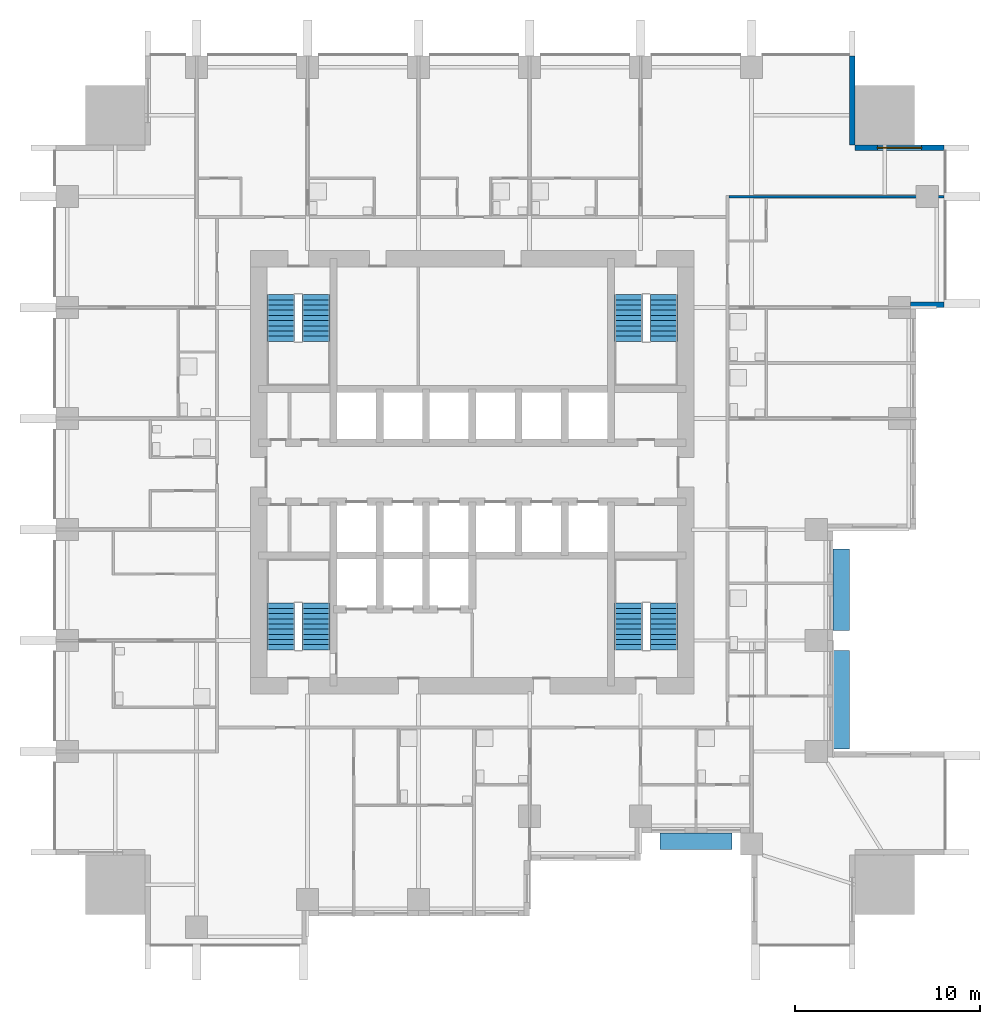
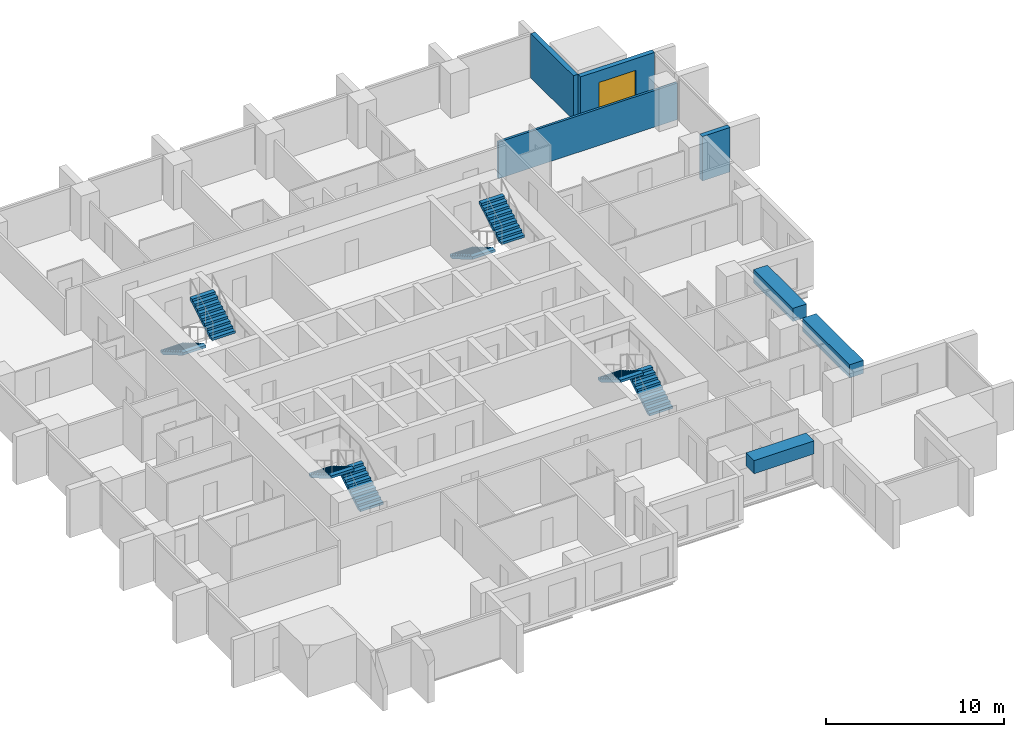
# One storey, part 8 of 10: 8 stair flights, 4 walls, 3 discrete accessories, 1 window, 1 opening, 4 elements without a shape of their own.
"""IFC4 building model written with IfcOpenShell, lengths in metres."""

from ifc_helpers import new_model, si_unit, direction, frame, frame_2d, origin, origin_2d, place, context, subcontext, project, spatial, polyline, rectangle, outline, extrude, material, layer, layer_set, type_object, element, fill, aggregate, save


model = new_model("IFC4")

# Units and contexts
model_context = context("Model", 3, precision=1e-05, world=origin(), true_north=direction((0.0, 1.0)))
body_context = subcontext(model_context, "Body", "Model", "MODEL_VIEW")
ifc_project = project(units=[si_unit("LENGTHUNIT", "METRE"), si_unit("AREAUNIT", "SQUARE_METRE"), si_unit("VOLUMEUNIT", "CUBIC_METRE"), si_unit("PLANEANGLEUNIT", "RADIAN"), si_unit("MASSUNIT", "GRAM", prefix="KILO")], contexts=[model_context])

# Site, building, storey
site_placement = place(None, origin())
site = spatial("IfcSite", under=ifc_project, at=site_placement, CompositionType="ELEMENT")
building_placement = place(site_placement, origin())
building = spatial("IfcBuilding", under=site, at=building_placement, Name="Amberfall Residences", CompositionType="ELEMENT")
storey_placement = place(building_placement, frame((0.0, 0.0, 63.10009765625)))
storey = spatial("IfcBuildingStorey", under=building, at=storey_placement, Name="L17", CompositionType="ELEMENT", Elevation=63.10009765625)

# Wall
ifc_material_1 = material(Name="Pale stone cladding on insulated backing", Category="masonry")
ifc_layer_1 = layer(ifc_material_1, 0.300048828125)
ifc_layer_set_1 = layer_set([ifc_layer_1], Name="Bronze clad wall 300")
wall_type_1 = type_object("IfcWallType", Name="Bronze clad wall 300", PredefinedType="SOLIDWALL", material=ifc_layer_set_1)
wall_1_placement = place(storey_placement, frame((98.199951171875, 54.550048828125, 0.0), z_axis=(0.0, 0.0, 1.0), x_axis=(1.0, 0.0, 0.0)))
element("IfcWall", 1, at=wall_1_placement, inside=storey, type_object=wall_type_1, Name="External wall L17 E", PredefinedType="SOLIDWALL", context=body_context, shape_type="SweptSolid", body=[
    extrude(rectangle(XDim=1.800048828125, YDim=0.300048828125, at=frame_2d((0.89990234375, 0.0))), origin(), (0.0, 0.0, 1.0), 3.0498046875),
])

# Wall, opening, window
wall_2_placement = place(storey_placement, frame((100.0, 63.050048828125, 0.0), z_axis=(0.0, 0.0, 1.0), x_axis=(-1.0, 0.0, 0.0)))
wall_2 = element("IfcWall", 2, at=wall_2_placement, inside=storey, type_object=wall_type_1, Name="External wall L17 NE", PredefinedType="SOLIDWALL", context=body_context, shape_type="SweptSolid", body=[
    extrude(rectangle(XDim=4.800048828125, YDim=0.300048828125, at=frame_2d((2.39990234375, 0.0))), origin(), (0.0, 0.0, 1.0), 3.0498046875),
])
opening_placement = place(wall_2_placement, frame((1.199951171875, 0.0, 0.14990234375)))
opening = element("IfcOpeningElement", 3, at=opening_placement, cuts=wall_2, Name="Opening WN5", PredefinedType="OPENING", context=body_context, shape_type="SweptSolid", body=[
    extrude(rectangle(XDim=2.39990234375, YDim=2.10009765625, at=frame_2d((1.199951171875, 1.050048828125))), frame((0.0, 0.159912109375, 0.0), z_axis=(0.0, -1.0, 0.0), x_axis=(1.0, 0.0, 0.0)), (0.0, 0.0, 1.0), 0.320068359375),
])
ifc_material_2 = material(Name="Bronze aluminium framed glazing", Category="aluminium")
window_type = type_object("IfcWindowType", Name="Glazed opening 2400 x 2100 bronze", PartitioningType="DOUBLE_PANEL_VERTICAL", PredefinedType="WINDOW", material=ifc_material_2)
window_placement = place(opening_placement, origin())
window = element("IfcWindow", 4, at=window_placement, inside=storey, type_object=window_type, Name="Window L17 NE", OverallHeight=2.10009765625, OverallWidth=2.39990234375, PartitioningType="DOUBLE_PANEL_VERTICAL", PredefinedType="WINDOW", context=body_context, shape_type="SweptSolid", body=[
    extrude(rectangle(XDim=2.39990234375, YDim=2.10009765625, at=frame_2d((1.199951171875, 1.050048828125))), frame((0.0, 0.030029296875, 0.0), z_axis=(0.0, -1.0, 0.0), x_axis=(1.0, 0.0, 0.0)), (0.0, 0.0, 1.0), 0.06005859375),
])
fill(opening, window)

# Walls
wall_3_placement = place(storey_placement, frame((95.050048828125, 63.199951171875, 0.0), z_axis=(0.0, 0.0, 1.0), x_axis=(0.0, 1.0, 0.0)))
element("IfcWall", 5, at=wall_3_placement, inside=storey, type_object=wall_type_1, Name="External wall L17 NE", PredefinedType="SOLIDWALL", context=body_context, shape_type="SweptSolid", body=[
    extrude(rectangle(XDim=4.800048828125, YDim=0.300048828125, at=frame_2d((2.39990234375, 0.0))), origin(), (0.0, 0.0, 1.0), 3.0498046875),
])
ifc_material_3 = material(Name="Blockwork, plastered", Category="masonry")
ifc_layer_2 = layer(ifc_material_3, 0.14990234375)
ifc_layer_set_2 = layer_set([ifc_layer_2], Name="Flat separating wall 150")
wall_type_2 = type_object("IfcWallType", Name="Flat separating wall 150", PredefinedType="PARTITIONING", material=ifc_layer_set_2)
wall_4_placement = place(storey_placement, frame((88.375, 60.39990234375, 0.0), z_axis=(0.0, 0.0, 1.0), x_axis=(1.0, 0.0, 0.0)))
element("IfcWall", 6, at=wall_4_placement, inside=storey, type_object=wall_type_2, Name="Separating wall 048", PredefinedType="PARTITIONING", context=body_context, shape_type="SweptSolid", body=[
    extrude(rectangle(XDim=11.625, YDim=0.14990234375, at=frame_2d((5.8125, 0.0))), origin(), (0.0, 0.0, 1.0), 2.515869140625),
])

# Stair, stair flights
ifc_material_4 = material(Name="Concrete C40", Category="concrete")
stair_type = type_object("IfcStairType", Name="Exit stair 20 risers 165.0 mm", PredefinedType="HALF_TURN_STAIR", material=ifc_material_4)
stair_1_placement = place(storey_placement, origin())
stair_1 = element("IfcStair", 7, at=stair_1_placement, inside=storey, type_object=stair_type, Name="L17 Exit stair 1", PredefinedType="HALF_TURN_STAIR")
stair_flight_type = type_object("IfcStairFlightType", Name="Stair flight 10 risers 165.0 mm", PredefinedType="STRAIGHT", material=ifc_material_4)
stair_flight_1_placement = place(storey_placement, frame((66.050048828125, 35.89990234375, 0.0), z_axis=(0.0, 0.0, 1.0), x_axis=(0.0, 1.0, 0.0)))
stair_flight_1 = element("IfcStairFlight", 8, at=stair_flight_1_placement, type_object=stair_flight_type, Name="ST3 flight 1", NumberOfRisers=10, NumberOfTreads=9, PredefinedType="STRAIGHT", RiserHeight=0.165, TreadLength=0.28, context=body_context, shape_type="SweptSolid", body=[
    extrude(outline(polyline([(0.0, 0.0), (0.0, 0.1650390625), (0.280029296875, 0.1650390625), (0.280029296875, 0.330078125), (0.56005859375, 0.330078125), (0.56005859375, 0.4951171875), (0.840087890625, 0.4951171875), (0.840087890625, 0.659912109375), (1.1201171875, 0.659912109375), (1.1201171875, 0.824951171875), (1.39990234375, 0.824951171875), (1.39990234375, 0.989990234375), (1.679931640625, 0.989990234375), (1.679931640625, 1.155029296875), (1.9599609375, 1.155029296875), (1.9599609375, 1.320068359375), (2.239990234375, 1.320068359375), (2.239990234375, 1.485107421875), (2.52001953125, 1.485107421875), (2.52001953125, 1.64990234375), (2.52001953125, 1.31103515625), (0.295166015625, 0.0), (0.0, 0.0)])), frame((0.0, 0.75, 0.0), z_axis=(0.0, -1.0, 0.0), x_axis=(1.0, 0.0, 0.0)), (0.0, 0.0, 1.0), 1.5),
])
stair_flight_2_placement = place(storey_placement, frame((64.14990234375, 38.419921875, 1.64990234375), z_axis=(0.0, 0.0, 1.0), x_axis=(0.0, -1.0, 0.0)))
stair_flight_2 = element("IfcStairFlight", 9, at=stair_flight_2_placement, type_object=stair_flight_type, Name="ST3 flight 2", NumberOfRisers=10, NumberOfTreads=9, PredefinedType="STRAIGHT", RiserHeight=0.165, TreadLength=0.28, context=body_context, shape_type="SweptSolid", body=[
    extrude(outline(polyline([(0.0, 0.0), (0.0, 0.1650390625), (0.280029296875, 0.1650390625), (0.280029296875, 0.330078125), (0.56005859375, 0.330078125), (0.56005859375, 0.4951171875), (0.840087890625, 0.4951171875), (0.840087890625, 0.659912109375), (1.1201171875, 0.659912109375), (1.1201171875, 0.824951171875), (1.39990234375, 0.824951171875), (1.39990234375, 0.989990234375), (1.679931640625, 0.989990234375), (1.679931640625, 1.155029296875), (1.9599609375, 1.155029296875), (1.9599609375, 1.320068359375), (2.239990234375, 1.320068359375), (2.239990234375, 1.485107421875), (2.52001953125, 1.485107421875), (2.52001953125, 1.64990234375), (2.52001953125, 1.31103515625), (0.295166015625, 0.0), (0.0, 0.0)])), frame((0.0, 0.75, 0.0), z_axis=(0.0, -1.0, 0.0), x_axis=(1.0, 0.0, 0.0)), (0.0, 0.0, 1.0), 1.5),
])
aggregate(stair_1, [stair_flight_1, stair_flight_2])

stair_2_placement = place(storey_placement, origin())
stair_2 = element("IfcStair", 10, at=stair_2_placement, inside=storey, type_object=stair_type, Name="L17 Exit stair 2", PredefinedType="HALF_TURN_STAIR")
stair_flight_3_placement = place(storey_placement, frame((84.85009765625, 35.89990234375, 0.0), z_axis=(0.0, 0.0, 1.0), x_axis=(0.0, 1.0, 0.0)))
stair_flight_3 = element("IfcStairFlight", 11, at=stair_flight_3_placement, type_object=stair_flight_type, Name="ST3 flight 1", NumberOfRisers=10, NumberOfTreads=9, PredefinedType="STRAIGHT", RiserHeight=0.165, TreadLength=0.28, context=body_context, shape_type="SweptSolid", body=[
    extrude(outline(polyline([(0.0, 0.0), (0.0, 0.1650390625), (0.280029296875, 0.1650390625), (0.280029296875, 0.330078125), (0.56005859375, 0.330078125), (0.56005859375, 0.4951171875), (0.840087890625, 0.4951171875), (0.840087890625, 0.659912109375), (1.1201171875, 0.659912109375), (1.1201171875, 0.824951171875), (1.39990234375, 0.824951171875), (1.39990234375, 0.989990234375), (1.679931640625, 0.989990234375), (1.679931640625, 1.155029296875), (1.9599609375, 1.155029296875), (1.9599609375, 1.320068359375), (2.239990234375, 1.320068359375), (2.239990234375, 1.485107421875), (2.52001953125, 1.485107421875), (2.52001953125, 1.64990234375), (2.52001953125, 1.31103515625), (0.295166015625, 0.0), (0.0, 0.0)])), frame((0.0, 0.75, 0.0), z_axis=(0.0, -1.0, 0.0), x_axis=(1.0, 0.0, 0.0)), (0.0, 0.0, 1.0), 1.5),
])
stair_flight_4_placement = place(storey_placement, frame((82.949951171875, 38.419921875, 1.64990234375), z_axis=(0.0, 0.0, 1.0), x_axis=(0.0, -1.0, 0.0)))
stair_flight_4 = element("IfcStairFlight", 12, at=stair_flight_4_placement, type_object=stair_flight_type, Name="ST3 flight 2", NumberOfRisers=10, NumberOfTreads=9, PredefinedType="STRAIGHT", RiserHeight=0.165, TreadLength=0.28, context=body_context, shape_type="SweptSolid", body=[
    extrude(outline(polyline([(0.0, 0.0), (0.0, 0.1650390625), (0.280029296875, 0.1650390625), (0.280029296875, 0.330078125), (0.56005859375, 0.330078125), (0.56005859375, 0.4951171875), (0.840087890625, 0.4951171875), (0.840087890625, 0.659912109375), (1.1201171875, 0.659912109375), (1.1201171875, 0.824951171875), (1.39990234375, 0.824951171875), (1.39990234375, 0.989990234375), (1.679931640625, 0.989990234375), (1.679931640625, 1.155029296875), (1.9599609375, 1.155029296875), (1.9599609375, 1.320068359375), (2.239990234375, 1.320068359375), (2.239990234375, 1.485107421875), (2.52001953125, 1.485107421875), (2.52001953125, 1.64990234375), (2.52001953125, 1.31103515625), (0.295166015625, 0.0), (0.0, 0.0)])), frame((0.0, 0.75, 0.0), z_axis=(0.0, -1.0, 0.0), x_axis=(1.0, 0.0, 0.0)), (0.0, 0.0, 1.0), 1.5),
])
aggregate(stair_2, [stair_flight_3, stair_flight_4])

stair_3_placement = place(storey_placement, origin())
stair_3 = element("IfcStair", 13, at=stair_3_placement, inside=storey, type_object=stair_type, Name="L17 Exit stair 3", PredefinedType="HALF_TURN_STAIR")
stair_flight_5_placement = place(storey_placement, frame((82.949951171875, 55.10009765625, 0.0), z_axis=(0.0, 0.0, 1.0), x_axis=(0.0, -1.0, 0.0)))
stair_flight_5 = element("IfcStairFlight", 14, at=stair_flight_5_placement, type_object=stair_flight_type, Name="ST3 flight 1", NumberOfRisers=10, NumberOfTreads=9, PredefinedType="STRAIGHT", RiserHeight=0.165, TreadLength=0.28, context=body_context, shape_type="SweptSolid", body=[
    extrude(outline(polyline([(0.0, 0.0), (0.0, 0.1650390625), (0.280029296875, 0.1650390625), (0.280029296875, 0.330078125), (0.56005859375, 0.330078125), (0.56005859375, 0.4951171875), (0.840087890625, 0.4951171875), (0.840087890625, 0.659912109375), (1.1201171875, 0.659912109375), (1.1201171875, 0.824951171875), (1.39990234375, 0.824951171875), (1.39990234375, 0.989990234375), (1.679931640625, 0.989990234375), (1.679931640625, 1.155029296875), (1.9599609375, 1.155029296875), (1.9599609375, 1.320068359375), (2.239990234375, 1.320068359375), (2.239990234375, 1.485107421875), (2.52001953125, 1.485107421875), (2.52001953125, 1.64990234375), (2.52001953125, 1.31103515625), (0.295166015625, 0.0), (0.0, 0.0)])), frame((0.0, 0.75, 0.0), z_axis=(0.0, -1.0, 0.0), x_axis=(1.0, 0.0, 0.0)), (0.0, 0.0, 1.0), 1.5),
])
stair_flight_6_placement = place(storey_placement, frame((84.85009765625, 52.580078125, 1.64990234375), z_axis=(0.0, 0.0, 1.0), x_axis=(0.0, 1.0, 0.0)))
stair_flight_6 = element("IfcStairFlight", 15, at=stair_flight_6_placement, type_object=stair_flight_type, Name="ST3 flight 2", NumberOfRisers=10, NumberOfTreads=9, PredefinedType="STRAIGHT", RiserHeight=0.165, TreadLength=0.28, context=body_context, shape_type="SweptSolid", body=[
    extrude(outline(polyline([(0.0, 0.0), (0.0, 0.1650390625), (0.280029296875, 0.1650390625), (0.280029296875, 0.330078125), (0.56005859375, 0.330078125), (0.56005859375, 0.4951171875), (0.840087890625, 0.4951171875), (0.840087890625, 0.659912109375), (1.1201171875, 0.659912109375), (1.1201171875, 0.824951171875), (1.39990234375, 0.824951171875), (1.39990234375, 0.989990234375), (1.679931640625, 0.989990234375), (1.679931640625, 1.155029296875), (1.9599609375, 1.155029296875), (1.9599609375, 1.320068359375), (2.239990234375, 1.320068359375), (2.239990234375, 1.485107421875), (2.52001953125, 1.485107421875), (2.52001953125, 1.64990234375), (2.52001953125, 1.31103515625), (0.295166015625, 0.0), (0.0, 0.0)])), frame((0.0, 0.75, 0.0), z_axis=(0.0, -1.0, 0.0), x_axis=(1.0, 0.0, 0.0)), (0.0, 0.0, 1.0), 1.5),
])
aggregate(stair_3, [stair_flight_5, stair_flight_6])

stair_4_placement = place(storey_placement, origin())
stair_4 = element("IfcStair", 16, at=stair_4_placement, inside=storey, type_object=stair_type, Name="L17 Exit stair 4", PredefinedType="HALF_TURN_STAIR")
stair_flight_7_placement = place(storey_placement, frame((64.14990234375, 55.10009765625, 0.0), z_axis=(0.0, 0.0, 1.0), x_axis=(0.0, -1.0, 0.0)))
stair_flight_7 = element("IfcStairFlight", 17, at=stair_flight_7_placement, type_object=stair_flight_type, Name="ST3 flight 1", NumberOfRisers=10, NumberOfTreads=9, PredefinedType="STRAIGHT", RiserHeight=0.165, TreadLength=0.28, context=body_context, shape_type="SweptSolid", body=[
    extrude(outline(polyline([(0.0, 0.0), (0.0, 0.1650390625), (0.280029296875, 0.1650390625), (0.280029296875, 0.330078125), (0.56005859375, 0.330078125), (0.56005859375, 0.4951171875), (0.840087890625, 0.4951171875), (0.840087890625, 0.659912109375), (1.1201171875, 0.659912109375), (1.1201171875, 0.824951171875), (1.39990234375, 0.824951171875), (1.39990234375, 0.989990234375), (1.679931640625, 0.989990234375), (1.679931640625, 1.155029296875), (1.9599609375, 1.155029296875), (1.9599609375, 1.320068359375), (2.239990234375, 1.320068359375), (2.239990234375, 1.485107421875), (2.52001953125, 1.485107421875), (2.52001953125, 1.64990234375), (2.52001953125, 1.31103515625), (0.295166015625, 0.0), (0.0, 0.0)])), frame((0.0, 0.75, 0.0), z_axis=(0.0, -1.0, 0.0), x_axis=(1.0, 0.0, 0.0)), (0.0, 0.0, 1.0), 1.5),
])
stair_flight_8_placement = place(storey_placement, frame((66.050048828125, 52.580078125, 1.64990234375), z_axis=(0.0, 0.0, 1.0), x_axis=(0.0, 1.0, 0.0)))
stair_flight_8 = element("IfcStairFlight", 18, at=stair_flight_8_placement, type_object=stair_flight_type, Name="ST3 flight 2", NumberOfRisers=10, NumberOfTreads=9, PredefinedType="STRAIGHT", RiserHeight=0.165, TreadLength=0.28, context=body_context, shape_type="SweptSolid", body=[
    extrude(outline(polyline([(0.0, 0.0), (0.0, 0.1650390625), (0.280029296875, 0.1650390625), (0.280029296875, 0.330078125), (0.56005859375, 0.330078125), (0.56005859375, 0.4951171875), (0.840087890625, 0.4951171875), (0.840087890625, 0.659912109375), (1.1201171875, 0.659912109375), (1.1201171875, 0.824951171875), (1.39990234375, 0.824951171875), (1.39990234375, 0.989990234375), (1.679931640625, 0.989990234375), (1.679931640625, 1.155029296875), (1.9599609375, 1.155029296875), (1.9599609375, 1.320068359375), (2.239990234375, 1.320068359375), (2.239990234375, 1.485107421875), (2.52001953125, 1.485107421875), (2.52001953125, 1.64990234375), (2.52001953125, 1.31103515625), (0.295166015625, 0.0), (0.0, 0.0)])), frame((0.0, 0.75, 0.0), z_axis=(0.0, -1.0, 0.0), x_axis=(1.0, 0.0, 0.0)), (0.0, 0.0, 1.0), 1.5),
])
aggregate(stair_4, [stair_flight_7, stair_flight_8])

# Discrete accessories
discrete_accessory_1_placement = place(storey_placement, frame((94.449951171875, 33.205078125, 2.39990234375), z_axis=(0.0, 0.0, 1.0), x_axis=(0.0, 1.0, 0.0)))
element("IfcDiscreteAccessory", 19, at=discrete_accessory_1_placement, inside=storey, Name="Planter box L18 E3", ObjectType="PLANTER BOX", PredefinedType="USERDEFINED", context=body_context, shape_type="SweptSolid", body=[
    extrude(rectangle(XDim=5.31005859375, YDim=0.89990234375, at=origin_2d()), origin(), (0.0, 0.0, 1.0), 0.89990234375),
])
discrete_accessory_2_placement = place(storey_placement, frame((94.449951171875, 39.145751953125, 2.39990234375), z_axis=(0.0, 0.0, 1.0), x_axis=(0.0, 1.0, 0.0)))
element("IfcDiscreteAccessory", 20, at=discrete_accessory_2_placement, inside=storey, Name="Planter box L18 E4", ObjectType="PLANTER BOX", PredefinedType="USERDEFINED", context=body_context, shape_type="SweptSolid", body=[
    extrude(rectangle(XDim=4.411376953125, YDim=0.89990234375, at=origin_2d()), origin(), (0.0, 0.0, 1.0), 0.89990234375),
])
discrete_accessory_3_placement = place(storey_placement, frame((86.594970703125, 25.550048828125, 2.39990234375), z_axis=(0.0, 0.0, 1.0), x_axis=(1.0, 0.0, 0.0)))
element("IfcDiscreteAccessory", 21, at=discrete_accessory_3_placement, inside=storey, Name="Planter box L18 S8", ObjectType="PLANTER BOX", PredefinedType="USERDEFINED", context=body_context, shape_type="SweptSolid", body=[
    extrude(rectangle(XDim=3.906005859375, YDim=0.89990234375, at=origin_2d()), origin(), (0.0, 0.0, 1.0), 0.89990234375),
])

save(model, "model.ifc")
